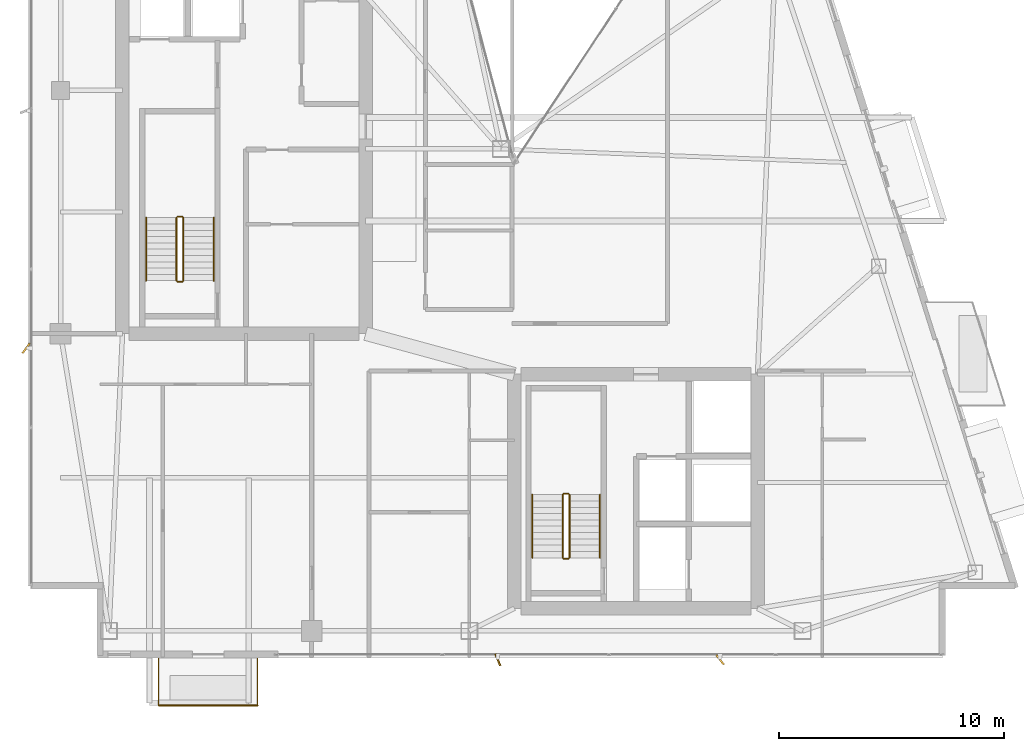
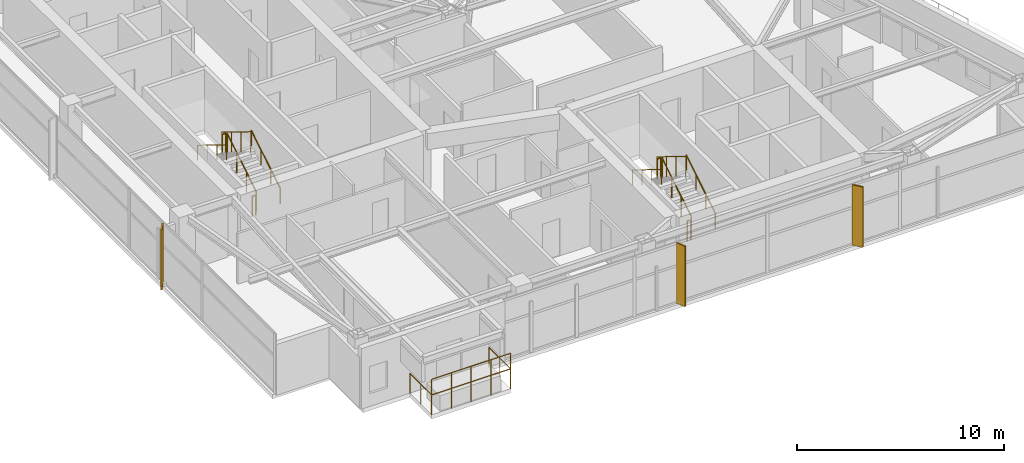
# One storey, part 27 of 28: 14 railings, 3 shading devices.
"""IFC4 building model written with IfcOpenShell, lengths in metres."""

from ifc_helpers import new_model, si_unit, direction, frame, origin, origin_2d, place, context, subcontext, project, spatial, rectangle, circle, extrude, material, type_object, element, save


model = new_model("IFC4")

# Units and contexts
model_context = context("Model", 3, precision=1e-05, world=origin(), true_north=direction((0.0, 1.0)))
body_context = subcontext(model_context, "Body", "Model", "MODEL_VIEW")
ifc_project = project(units=[si_unit("LENGTHUNIT", "METRE"), si_unit("AREAUNIT", "SQUARE_METRE"), si_unit("VOLUMEUNIT", "CUBIC_METRE"), si_unit("PLANEANGLEUNIT", "RADIAN"), si_unit("MASSUNIT", "GRAM", prefix="KILO")], contexts=[model_context])

# Site, building, storey
site_placement = place(None, origin())
site = spatial("IfcSite", under=ifc_project, at=site_placement, CompositionType="ELEMENT")
building_placement = place(site_placement, origin())
building = spatial("IfcBuilding", under=site, at=building_placement, Name="Calvorn Quay Hotel", CompositionType="ELEMENT")
storey_placement = place(building_placement, frame((0.0, 0.0, 274.89990234375)))
storey = spatial("IfcBuildingStorey", under=building, at=storey_placement, Name="L68", CompositionType="ELEMENT", Elevation=274.89990234375)

# Railings
ifc_material_1 = material(Name="Pale Anodised Aluminium and Laminated Glass", Category="aluminium")
railing_type_1 = type_object("IfcRailingType", Name="RLG-BALUSTRADE-1200", PredefinedType="BALUSTRADE", material=ifc_material_1)
railing_1_placement = place(storey_placement, frame((5.800048828125, 2.389892578125, 0.0)))
element("IfcRailing", 1, at=railing_1_placement, inside=storey, type_object=railing_type_1, Name="Tree Balcony Perimeter Balustrade L68-BALC-S", PredefinedType="BALUSTRADE", context=body_context, shape_type="SweptSolid", body=[
    extrude(circle(Radius=0.02392578125, at=origin_2d()), frame((0.0, 0.0, 1.17578125), z_axis=(0.0, -1.0, 0.0), x_axis=(1.0, 0.0, 0.0)), (0.0, 0.0, 1.0), 2.099853515625),
    extrude(circle(Radius=0.02392578125, at=origin_2d()), frame((0.0, -2.099853515625, 1.17578125), z_axis=(1.0, 0.0, 0.0), x_axis=(0.0, 1.0, 0.0)), (0.0, 0.0, 1.0), 4.39990234375),
    extrude(circle(Radius=0.02392578125, at=origin_2d()), frame((4.39990234375, -2.099853515625, 1.17578125), z_axis=(0.0, 1.0, 0.0), x_axis=(-1.0, 0.0, 0.0)), (0.0, 0.0, 1.0), 2.099853515625),
    extrude(circle(Radius=0.02099609375, at=origin_2d()), origin(), (0.0, 0.0, 1.0), 1.15185546875),
    extrude(circle(Radius=0.02099609375, at=origin_2d()), frame((0.0, -1.0498046875, 0.0)), (0.0, 0.0, 1.0), 1.15185546875),
    extrude(circle(Radius=0.02099609375, at=origin_2d()), frame((0.0, -2.099853515625, 0.0)), (0.0, 0.0, 1.0), 1.15185546875),
    extrude(circle(Radius=0.02099609375, at=origin_2d()), frame((1.10009765625, -2.099853515625, 0.0)), (0.0, 0.0, 1.0), 1.15185546875),
    extrude(circle(Radius=0.02099609375, at=origin_2d()), frame((2.199951171875, -2.099853515625, 0.0)), (0.0, 0.0, 1.0), 1.15185546875),
    extrude(circle(Radius=0.02099609375, at=origin_2d()), frame((3.2998046875, -2.099853515625, 0.0)), (0.0, 0.0, 1.0), 1.15185546875),
    extrude(circle(Radius=0.02099609375, at=origin_2d()), frame((4.39990234375, -2.099853515625, 0.0)), (0.0, 0.0, 1.0), 1.15185546875),
    extrude(circle(Radius=0.02099609375, at=origin_2d()), frame((4.39990234375, -1.0498046875, 0.0)), (0.0, 0.0, 1.0), 1.15185546875),
    extrude(circle(Radius=0.02099609375, at=origin_2d()), frame((4.39990234375, 0.0, 0.0)), (0.0, 0.0, 1.0), 1.15185546875),
])
railing_2_placement = place(storey_placement, frame((5.800048828125, 0.2900390625, 0.900146484375)))
element("IfcRailing", 2, at=railing_2_placement, inside=storey, type_object=railing_type_1, Name="Planter Kerb High Safety Screen L68-BALC-S", PredefinedType="BALUSTRADE", context=body_context, shape_type="SweptSolid", body=[
    extrude(circle(Radius=0.02392578125, at=origin_2d()), frame((0.0, 0.0, 1.19580078125), z_axis=(1.0, 0.0, 0.0), x_axis=(0.0, 1.0, 0.0)), (0.0, 0.0, 1.0), 4.39990234375),
    extrude(circle(Radius=0.02099609375, at=origin_2d()), origin(), (0.0, 0.0, 1.0), 1.171875),
    extrude(circle(Radius=0.02099609375, at=origin_2d()), frame((1.10009765625, 0.0, 0.0)), (0.0, 0.0, 1.0), 1.171875),
    extrude(circle(Radius=0.02099609375, at=origin_2d()), frame((2.199951171875, 0.0, 0.0)), (0.0, 0.0, 1.0), 1.171875),
    extrude(circle(Radius=0.02099609375, at=origin_2d()), frame((3.2998046875, 0.0, 0.0)), (0.0, 0.0, 1.0), 1.171875),
    extrude(circle(Radius=0.02099609375, at=origin_2d()), frame((4.39990234375, 0.0, 0.0)), (0.0, 0.0, 1.0), 1.171875),
])
ifc_material_2 = material(Name="Brushed Stainless Steel Handrail", Category="steel")
railing_type_2 = type_object("IfcRailingType", Name="RLG-HANDRAIL-900", PredefinedType="HANDRAIL", material=ifc_material_2)
railing_3_placement = place(storey_placement, frame((8.25, 19.14990234375, 0.1728515625)))
element("IfcRailing", 3, at=railing_3_placement, inside=storey, type_object=railing_type_2, Name="L68 ST-W stair handrail 1", PredefinedType="HANDRAIL", context=body_context, shape_type="SweptSolid", body=[
    extrude(circle(Radius=0.02392578125, at=origin_2d()), frame((0.0, 0.0, 0.8759765625), z_axis=(0.0, 0.851089632645, 0.525020415988), x_axis=(-1.0, 0.0, 0.0)), (0.0, 0.0, 1.0), 3.2900390625),
    extrude(circle(Radius=0.02099609375, at=origin_2d()), origin(), (0.0, 0.0, 1.0), 0.851806640625),
    extrude(circle(Radius=0.02099609375, at=origin_2d()), frame((0.0, 0.933349609375, 0.57568359375)), (0.0, 0.0, 1.0), 0.851806640625),
    extrude(circle(Radius=0.02099609375, at=origin_2d()), frame((0.0, 1.86669921875, 1.151611328125)), (0.0, 0.0, 1.0), 0.851806640625),
    extrude(circle(Radius=0.02099609375, at=origin_2d()), frame((0.0, 2.800048828125, 1.727294921875)), (0.0, 0.0, 1.0), 0.851806640625),
])
railing_4_placement = place(storey_placement, frame((5.25, 21.949951171875, 2.07275390625)))
element("IfcRailing", 4, at=railing_4_placement, inside=storey, type_object=railing_type_2, Name="L68 ST-W stair handrail 2", PredefinedType="HANDRAIL", context=body_context, shape_type="SweptSolid", body=[
    extrude(circle(Radius=0.02392578125, at=origin_2d()), frame((0.0, 0.0, 0.8759765625), z_axis=(0.0, -0.851089632645, 0.525020415988), x_axis=(1.0, 0.0, 0.0)), (0.0, 0.0, 1.0), 3.2900390625),
    extrude(circle(Radius=0.02099609375, at=origin_2d()), origin(), (0.0, 0.0, 1.0), 0.851806640625),
    extrude(circle(Radius=0.02099609375, at=origin_2d()), frame((0.0, -0.933349609375, 0.57568359375)), (0.0, 0.0, 1.0), 0.851806640625),
    extrude(circle(Radius=0.02099609375, at=origin_2d()), frame((0.0, -1.86669921875, 1.151611328125)), (0.0, 0.0, 1.0), 0.851806640625),
    extrude(circle(Radius=0.02099609375, at=origin_2d()), frame((0.0, -2.800048828125, 1.727294921875)), (0.0, 0.0, 1.0), 0.851806640625),
])
railing_5_placement = place(storey_placement, frame((25.39990234375, 6.85009765625, 0.1728515625)))
element("IfcRailing", 5, at=railing_5_placement, inside=storey, type_object=railing_type_2, Name="L68 ST-E stair handrail 1", PredefinedType="HANDRAIL", context=body_context, shape_type="SweptSolid", body=[
    extrude(circle(Radius=0.02392578125, at=origin_2d()), frame((0.0, 0.0, 0.8759765625), z_axis=(0.0, 0.851069175582, 0.525053576669), x_axis=(-1.0, 0.0, 0.0)), (0.0, 0.0, 1.0), 3.289794921875),
    extrude(circle(Radius=0.02099609375, at=origin_2d()), origin(), (0.0, 0.0, 1.0), 0.851806640625),
    extrude(circle(Radius=0.02099609375, at=origin_2d()), frame((0.0, 0.933349609375, 0.57568359375)), (0.0, 0.0, 1.0), 0.851806640625),
    extrude(circle(Radius=0.02099609375, at=origin_2d()), frame((0.0, 1.866455078125, 1.151611328125)), (0.0, 0.0, 1.0), 0.851806640625),
    extrude(circle(Radius=0.02099609375, at=origin_2d()), frame((0.0, 2.7998046875, 1.727294921875)), (0.0, 0.0, 1.0), 0.851806640625),
])
railing_6_placement = place(storey_placement, frame((22.39990234375, 9.64990234375, 2.07275390625)))
element("IfcRailing", 6, at=railing_6_placement, inside=storey, type_object=railing_type_2, Name="L68 ST-E stair handrail 2", PredefinedType="HANDRAIL", context=body_context, shape_type="SweptSolid", body=[
    extrude(circle(Radius=0.02392578125, at=origin_2d()), frame((0.0, 0.0, 0.8759765625), z_axis=(0.0, -0.851069175582, 0.525053576669), x_axis=(1.0, 0.0, 0.0)), (0.0, 0.0, 1.0), 3.289794921875),
    extrude(circle(Radius=0.02099609375, at=origin_2d()), origin(), (0.0, 0.0, 1.0), 0.851806640625),
    extrude(circle(Radius=0.02099609375, at=origin_2d()), frame((0.0, -0.933349609375, 0.57568359375)), (0.0, 0.0, 1.0), 0.851806640625),
    extrude(circle(Radius=0.02099609375, at=origin_2d()), frame((0.0, -1.866455078125, 1.151611328125)), (0.0, 0.0, 1.0), 0.851806640625),
    extrude(circle(Radius=0.02099609375, at=origin_2d()), frame((0.0, -2.7998046875, 1.727294921875)), (0.0, 0.0, 1.0), 0.851806640625),
])
ifc_material_3 = material(Name="Painted Galvanised Steel Balustrade", Category="steel")
railing_type_3 = type_object("IfcRailingType", Name="RLG-STAIR-GUARD-1120", PredefinedType="GUARDRAIL", material=ifc_material_3)
railing_7_placement = place(storey_placement, frame((6.89990234375, 19.14990234375, 0.1728515625)))
element("IfcRailing", 7, at=railing_7_placement, inside=storey, type_object=railing_type_3, Name="L68 ST-W stair guard 1", PredefinedType="GUARDRAIL", context=body_context, shape_type="SweptSolid", body=[
    extrude(circle(Radius=0.02392578125, at=origin_2d()), frame((0.0, 0.0, 1.17578125), z_axis=(0.0, 0.851089632645, 0.525020415988), x_axis=(-1.0, 0.0, 0.0)), (0.0, 0.0, 1.0), 3.2900390625),
    extrude(circle(Radius=0.02099609375, at=origin_2d()), origin(), (0.0, 0.0, 1.0), 1.15185546875),
    extrude(circle(Radius=0.02099609375, at=origin_2d()), frame((0.0, 0.933349609375, 0.57568359375)), (0.0, 0.0, 1.0), 1.15185546875),
    extrude(circle(Radius=0.02099609375, at=origin_2d()), frame((0.0, 1.86669921875, 1.151611328125)), (0.0, 0.0, 1.0), 1.15185546875),
    extrude(circle(Radius=0.02099609375, at=origin_2d()), frame((0.0, 2.800048828125, 1.727294921875)), (0.0, 0.0, 1.0), 1.15185546875),
])
railing_8_placement = place(storey_placement, frame((6.85009765625, 22.0, 1.900146484375)))
element("IfcRailing", 8, at=railing_8_placement, inside=storey, type_object=railing_type_3, Name="L68 ST-W stair guard 2", PredefinedType="GUARDRAIL", context=body_context, shape_type="SweptSolid", body=[
    extrude(circle(Radius=0.02392578125, at=origin_2d()), frame((0.0, 0.0, 1.17578125), z_axis=(-1.0, 0.0, 0.0), x_axis=(0.0, -1.0, 0.0)), (0.0, 0.0, 1.0), 0.2001953125),
    extrude(circle(Radius=0.02099609375, at=origin_2d()), origin(), (0.0, 0.0, 1.0), 1.15185546875),
    extrude(circle(Radius=0.02099609375, at=origin_2d()), frame((-0.2001953125, 0.0, 0.0)), (0.0, 0.0, 1.0), 1.15185546875),
])
railing_9_placement = place(storey_placement, frame((6.60009765625, 21.949951171875, 2.07275390625)))
element("IfcRailing", 9, at=railing_9_placement, inside=storey, type_object=railing_type_3, Name="L68 ST-W stair guard 3", PredefinedType="GUARDRAIL", context=body_context, shape_type="SweptSolid", body=[
    extrude(circle(Radius=0.02392578125, at=origin_2d()), frame((0.0, 0.0, 1.17578125), z_axis=(0.0, -0.851089632645, 0.525020415988), x_axis=(1.0, 0.0, 0.0)), (0.0, 0.0, 1.0), 3.2900390625),
    extrude(circle(Radius=0.02099609375, at=origin_2d()), origin(), (0.0, 0.0, 1.0), 1.15185546875),
    extrude(circle(Radius=0.02099609375, at=origin_2d()), frame((0.0, -0.933349609375, 0.57568359375)), (0.0, 0.0, 1.0), 1.15185546875),
    extrude(circle(Radius=0.02099609375, at=origin_2d()), frame((0.0, -1.86669921875, 1.151611328125)), (0.0, 0.0, 1.0), 1.15185546875),
    extrude(circle(Radius=0.02099609375, at=origin_2d()), frame((0.0, -2.800048828125, 1.727294921875)), (0.0, 0.0, 1.0), 1.15185546875),
])
railing_10_placement = place(storey_placement, frame((6.85009765625, 19.10009765625, 0.0)))
element("IfcRailing", 10, at=railing_10_placement, inside=storey, type_object=railing_type_3, Name="L68 ST-W stair guard 4", PredefinedType="GUARDRAIL", context=body_context, shape_type="SweptSolid", body=[
    extrude(circle(Radius=0.02392578125, at=origin_2d()), frame((0.0, 0.0, 1.17578125), z_axis=(-1.0, 0.0, 0.0), x_axis=(0.0, -1.0, 0.0)), (0.0, 0.0, 1.0), 0.2001953125),
    extrude(circle(Radius=0.02099609375, at=origin_2d()), origin(), (0.0, 0.0, 1.0), 1.15185546875),
    extrude(circle(Radius=0.02099609375, at=origin_2d()), frame((-0.2001953125, 0.0, 0.0)), (0.0, 0.0, 1.0), 1.15185546875),
])
railing_11_placement = place(storey_placement, frame((24.050048828125, 6.85009765625, 0.1728515625)))
element("IfcRailing", 11, at=railing_11_placement, inside=storey, type_object=railing_type_3, Name="L68 ST-E stair guard 1", PredefinedType="GUARDRAIL", context=body_context, shape_type="SweptSolid", body=[
    extrude(circle(Radius=0.02392578125, at=origin_2d()), frame((0.0, 0.0, 1.17578125), z_axis=(0.0, 0.851069175582, 0.525053576669), x_axis=(-1.0, 0.0, 0.0)), (0.0, 0.0, 1.0), 3.289794921875),
    extrude(circle(Radius=0.02099609375, at=origin_2d()), origin(), (0.0, 0.0, 1.0), 1.15185546875),
    extrude(circle(Radius=0.02099609375, at=origin_2d()), frame((0.0, 0.933349609375, 0.57568359375)), (0.0, 0.0, 1.0), 1.15185546875),
    extrude(circle(Radius=0.02099609375, at=origin_2d()), frame((0.0, 1.866455078125, 1.151611328125)), (0.0, 0.0, 1.0), 1.15185546875),
    extrude(circle(Radius=0.02099609375, at=origin_2d()), frame((0.0, 2.7998046875, 1.727294921875)), (0.0, 0.0, 1.0), 1.15185546875),
])
railing_12_placement = place(storey_placement, frame((24.0, 9.699951171875, 1.900146484375)))
element("IfcRailing", 12, at=railing_12_placement, inside=storey, type_object=railing_type_3, Name="L68 ST-E stair guard 2", PredefinedType="GUARDRAIL", context=body_context, shape_type="SweptSolid", body=[
    extrude(circle(Radius=0.02392578125, at=origin_2d()), frame((0.0, 0.0, 1.17578125), z_axis=(-1.0, 0.0, 0.0), x_axis=(0.0, -1.0, 0.0)), (0.0, 0.0, 1.0), 0.199951171875),
    extrude(circle(Radius=0.02099609375, at=origin_2d()), origin(), (0.0, 0.0, 1.0), 1.15185546875),
    extrude(circle(Radius=0.02099609375, at=origin_2d()), frame((-0.199951171875, 0.0, 0.0)), (0.0, 0.0, 1.0), 1.15185546875),
])
railing_13_placement = place(storey_placement, frame((23.75, 9.64990234375, 2.07275390625)))
element("IfcRailing", 13, at=railing_13_placement, inside=storey, type_object=railing_type_3, Name="L68 ST-E stair guard 3", PredefinedType="GUARDRAIL", context=body_context, shape_type="SweptSolid", body=[
    extrude(circle(Radius=0.02392578125, at=origin_2d()), frame((0.0, 0.0, 1.17578125), z_axis=(0.0, -0.851069175582, 0.525053576669), x_axis=(1.0, 0.0, 0.0)), (0.0, 0.0, 1.0), 3.289794921875),
    extrude(circle(Radius=0.02099609375, at=origin_2d()), origin(), (0.0, 0.0, 1.0), 1.15185546875),
    extrude(circle(Radius=0.02099609375, at=origin_2d()), frame((0.0, -0.933349609375, 0.57568359375)), (0.0, 0.0, 1.0), 1.15185546875),
    extrude(circle(Radius=0.02099609375, at=origin_2d()), frame((0.0, -1.866455078125, 1.151611328125)), (0.0, 0.0, 1.0), 1.15185546875),
    extrude(circle(Radius=0.02099609375, at=origin_2d()), frame((0.0, -2.7998046875, 1.727294921875)), (0.0, 0.0, 1.0), 1.15185546875),
])
railing_14_placement = place(storey_placement, frame((24.0, 6.800048828125, 0.0)))
element("IfcRailing", 14, at=railing_14_placement, inside=storey, type_object=railing_type_3, Name="L68 ST-E stair guard 4", PredefinedType="GUARDRAIL", context=body_context, shape_type="SweptSolid", body=[
    extrude(circle(Radius=0.02392578125, at=origin_2d()), frame((0.0, 0.0, 1.17578125), z_axis=(-1.0, 0.0, 0.0), x_axis=(0.0, -1.0, 0.0)), (0.0, 0.0, 1.0), 0.199951171875),
    extrude(circle(Radius=0.02099609375, at=origin_2d()), origin(), (0.0, 0.0, 1.0), 1.15185546875),
    extrude(circle(Radius=0.02099609375, at=origin_2d()), frame((-0.199951171875, 0.0, 0.0)), (0.0, 0.0, 1.0), 1.15185546875),
])

# Shading devices
ifc_material_4 = material(Name="Champagne Bronze Anodised Aluminium 6063-T6", Category="aluminium")
shading_device_type_1 = type_object("IfcShadingDeviceType", Name="SHD-FIN-A1", PredefinedType="USERDEFINED", material=ifc_material_4)
shading_device_1_placement = place(storey_placement, frame((20.866943359375, 2.320068359375, 0.0), z_axis=(0.0, 0.0, 1.0), x_axis=(-0.374606593416, 0.927183854567, 0.0)))
element("IfcShadingDevice", 15, at=shading_device_1_placement, inside=storey, type_object=shading_device_type_1, Name="Diagonal Sun-Shading Fin L68-S01", ObjectType="FIN", PredefinedType="USERDEFINED", context=body_context, shape_type="SweptSolid", body=[
    extrude(rectangle(XDim=0.550048828125, YDim=0.080078125, at=origin_2d()), origin(), (0.0, 0.0, 1.0), 3.56005859375),
])
ifc_material_5 = material(Name="Champagne Bronze Anodised Aluminium 6063-T6", Category="aluminium")
shading_device_type_2 = type_object("IfcShadingDeviceType", Name="SHD-FIN-A2", PredefinedType="USERDEFINED", material=ifc_material_5)
shading_device_2_placement = place(storey_placement, frame((30.73291015625, 2.320068359375, 0.0), z_axis=(0.0, 0.0, 1.0), x_axis=(-0.615661475326, 0.788010753607, 0.0)))
element("IfcShadingDevice", 16, at=shading_device_2_placement, inside=storey, type_object=shading_device_type_2, Name="Diagonal Sun-Shading Fin L68-S02", ObjectType="FIN", PredefinedType="USERDEFINED", context=body_context, shape_type="SweptSolid", body=[
    extrude(rectangle(XDim=0.550048828125, YDim=0.080078125, at=origin_2d()), origin(), (0.0, 0.0, 1.0), 3.56005859375),
])
ifc_material_6 = material(Name="Champagne Bronze Anodised Aluminium 6063-T6", Category="aluminium")
shading_device_type_3 = type_object("IfcShadingDeviceType", Name="SHD-FIN-A3", PredefinedType="USERDEFINED", material=ifc_material_6)
shading_device_3_placement = place(storey_placement, frame((-0.080078125, 16.14990234375, 0.0), z_axis=(0.0, 0.0, 1.0), x_axis=(0.587785252292, 0.809016994375, 0.0)))
element("IfcShadingDevice", 17, at=shading_device_3_placement, inside=storey, type_object=shading_device_type_3, Name="Diagonal Sun-Shading Fin L68-W01", ObjectType="FIN", PredefinedType="USERDEFINED", context=body_context, shape_type="SweptSolid", body=[
    extrude(rectangle(XDim=0.550048828125, YDim=0.080078125, at=origin_2d()), origin(), (0.0, 0.0, 1.0), 3.56005859375),
])

save(model, "model.ifc")
